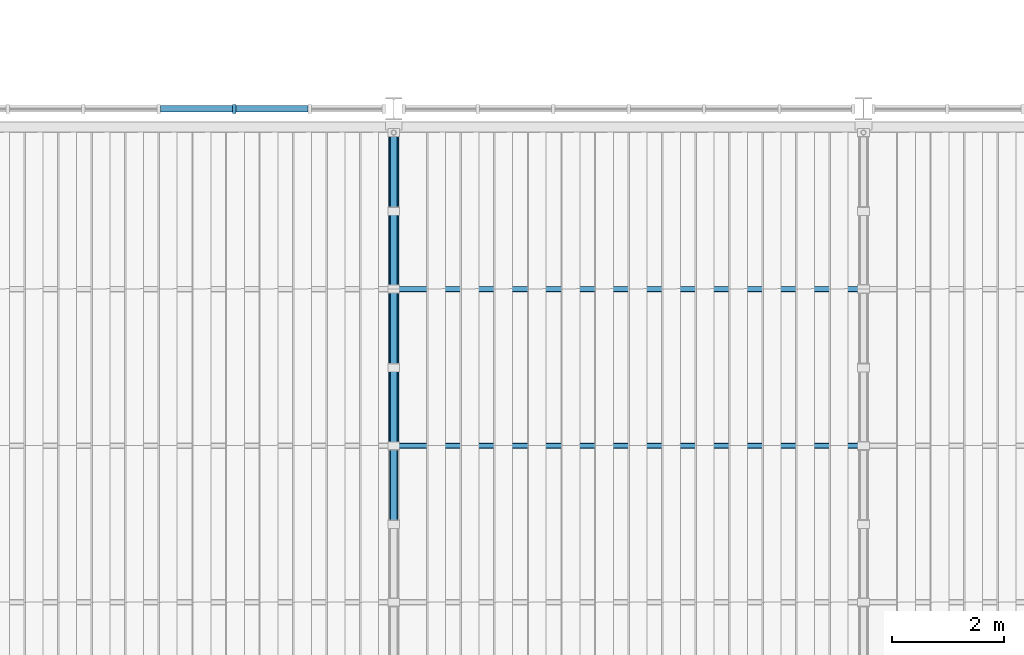
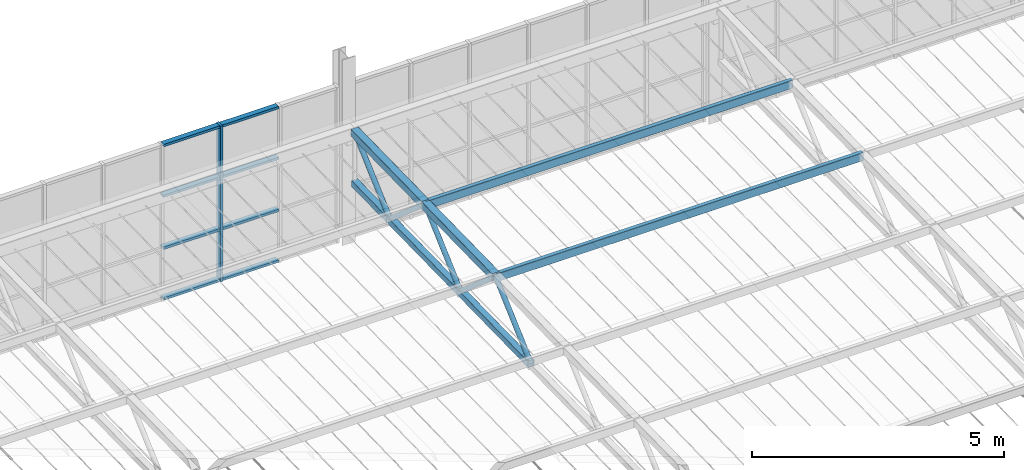
# One storey, part 23 of 129: 21 members, 1 element without a shape of its own.
"""IFC4 building model written with IfcOpenShell, lengths in metres."""

from ifc_helpers import new_model, si_unit, direction, frame, origin, origin_2d, place, context, subcontext, project, spatial, rectangle, hollow_rectangle, hollow_circle, extrude, material, layer, layer_set, material_profile, profile_set, type_object, element, aggregate, save


model = new_model("IFC4")

# Units and contexts
model_context = context("Model", 3, precision=1e-05, world=origin(), true_north=direction((0.0, 1.0)))
body_context = subcontext(model_context, "Body", "Model", "MODEL_VIEW")
ifc_project = project(units=[si_unit("LENGTHUNIT", "METRE"), si_unit("AREAUNIT", "SQUARE_METRE"), si_unit("VOLUMEUNIT", "CUBIC_METRE"), si_unit("PLANEANGLEUNIT", "RADIAN"), si_unit("MASSUNIT", "GRAM", prefix="KILO")], contexts=[model_context])

# Site, building, storey
site_placement = place(None, origin())
site = spatial("IfcSite", under=ifc_project, at=site_placement, CompositionType="ELEMENT")
building_placement = place(site_placement, origin())
building = spatial("IfcBuilding", under=site, at=building_placement, Name="Ardhachandra Cancer Care Centre", CompositionType="ELEMENT")
storey_placement = place(building_placement, frame((0.0, 0.0, 4.5)))
storey = spatial("IfcBuildingStorey", under=building, at=storey_placement, Name="L01", CompositionType="ELEMENT", Elevation=4.5)

# Members
ifc_material_1 = material(Name="Steel E350 (IS 2062)", Category="steel")
ifc_material_profile_1 = material_profile(ifc_material_1, hollow_rectangle(XDim=0.10009765625, YDim=0.199951171875, WallThickness=0.006103515625, InnerFilletRadius=0.006103515625, OuterFilletRadius=0.011962890625, at=origin_2d()), Name="RHS 200x100x6.0")
ifc_profile_set_1 = profile_set([ifc_material_profile_1], Name="Steel E350 (IS 2062)")
member_type_1 = type_object("IfcMemberType", Name="Canopy purlin RHS 200x100x6.0", PredefinedType="PURLIN", material=ifc_profile_set_1)
for number, where, z_axis, x_axis, name in (
    (1, (69.60009765625, 51.375, 2.78759765625), (1.0, 0.0, 0.0), (0.0, 1.0, 0.0), "Canopy purlin 1-4"),
    (2, (69.60009765625, 48.574951171875, 2.7314453125), (1.0, 0.0, 0.0), (0.0, 1.0, 0.0), "Canopy purlin 2-4"),
):
    element("IfcMember", number, at=place(storey_placement, frame(where, z_axis=z_axis, x_axis=x_axis)), inside=storey, type_object=member_type_1, Name=name, PredefinedType="PURLIN", context=body_context, shape_type="SweptSolid", body=[
        extrude(hollow_rectangle(XDim=0.10009765625, YDim=0.199951171875, WallThickness=0.006103515625, InnerFilletRadius=0.006103515625, OuterFilletRadius=0.011962890625, at=origin_2d()), origin(), (0.0, 0.0, 1.0), 8.39990234375),
    ])
ifc_material_2 = material(Name="Steel E350 (IS 2062)", Category="steel")
ifc_material_profile_2 = material_profile(ifc_material_2, hollow_rectangle(XDim=0.14990234375, YDim=0.14990234375, WallThickness=0.006103515625, InnerFilletRadius=0.006103515625, OuterFilletRadius=0.011962890625, at=origin_2d()), Name="SHS 150x150x6.0")
ifc_profile_set_2 = profile_set([ifc_material_profile_2], Name="Steel E350 (IS 2062)")
member_type_2 = type_object("IfcMemberType", Name="Canopy truss bottom chord SHS 150x150x6.0", PredefinedType="CHORD", material=ifc_profile_set_2)
member_1_placement = place(storey_placement, frame((69.60009765625, 54.175048828125, 1.618408203125), z_axis=(0.0, -0.999802492231, -0.019874016411), x_axis=(1.0, 0.0, 0.0)))
element("IfcMember", 3, at=member_1_placement, inside=storey, type_object=member_type_2, Name="Canopy truss 4 bottom chord BC12", PredefinedType="CHORD", context=body_context, shape_type="SweptSolid", body=[
    extrude(hollow_rectangle(XDim=0.14990234375, YDim=0.14990234375, WallThickness=0.006103515625, InnerFilletRadius=0.006103515625, OuterFilletRadius=0.011962890625, at=origin_2d()), origin(), (0.0, 0.0, 1.0), 1.400390625),
])
member_2_placement = place(storey_placement, frame((69.60009765625, 52.77490234375, 1.590576171875), z_axis=(0.0, -0.999798942946, -0.020051775103), x_axis=(1.0, 0.0, 0.0)))
element("IfcMember", 4, at=member_2_placement, inside=storey, type_object=member_type_2, Name="Canopy truss 4 bottom chord BC13", PredefinedType="CHORD", context=body_context, shape_type="SweptSolid", body=[
    extrude(hollow_rectangle(XDim=0.14990234375, YDim=0.14990234375, WallThickness=0.006103515625, InnerFilletRadius=0.006103515625, OuterFilletRadius=0.011962890625, at=origin_2d()), origin(), (0.0, 0.0, 1.0), 2.80029296875),
])
member_3_placement = place(storey_placement, frame((69.60009765625, 49.97509765625, 1.534423828125), z_axis=(0.0, -0.999800721691, -0.019962888244), x_axis=(1.0, 0.0, 0.0)))
element("IfcMember", 5, at=member_3_placement, inside=storey, type_object=member_type_2, Name="Canopy truss 4 bottom chord BC14", PredefinedType="CHORD", context=body_context, shape_type="SweptSolid", body=[
    extrude(hollow_rectangle(XDim=0.14990234375, YDim=0.14990234375, WallThickness=0.006103515625, InnerFilletRadius=0.006103515625, OuterFilletRadius=0.011962890625, at=origin_2d()), origin(), (0.0, 0.0, 1.0), 2.800537109375),
])
ifc_material_3 = material(Name="Steel E350 (IS 2062)", Category="steel")
ifc_material_profile_3 = material_profile(ifc_material_3, hollow_circle(Radius=0.05712890625, WallThickness=0.0048828125, at=origin_2d()), Name="CHS 114.3x5.0")
ifc_profile_set_3 = profile_set([ifc_material_profile_3], Name="Steel E350 (IS 2062)")
member_type_3 = type_object("IfcMemberType", Name="Canopy truss diagonal CHS 114.3x5.0", PredefinedType="BRACE", material=ifc_profile_set_3)
member_4_placement = place(storey_placement, frame((69.60009765625, 54.175048828125, 2.853515625), z_axis=(0.0, -0.742553308775, -0.669786968839), x_axis=(1.0, 0.0, 0.0)))
element("IfcMember", 6, at=member_4_placement, inside=storey, type_object=member_type_3, Name="Canopy truss 4 web diagonal WD23", PredefinedType="BRACE", context=body_context, shape_type="SweptSolid", body=[
    extrude(hollow_circle(Radius=0.05712890625, WallThickness=0.0048828125, at=origin_2d()), origin(), (0.0, 0.0, 1.0), 1.885498046875),
])
member_5_placement = place(storey_placement, frame((69.60009765625, 52.77490234375, 1.590576171875), z_axis=(0.0, -0.757351396119, 0.653007551868), x_axis=(1.0, 0.0, 0.0)))
element("IfcMember", 7, at=member_5_placement, inside=storey, type_object=member_type_3, Name="Canopy truss 4 web diagonal WD24", PredefinedType="BRACE", context=body_context, shape_type="SweptSolid", body=[
    extrude(hollow_circle(Radius=0.05712890625, WallThickness=0.0048828125, at=origin_2d()), origin(), (0.0, 0.0, 1.0), 1.848388671875),
])
member_6_placement = place(storey_placement, frame((69.60009765625, 51.375, 2.797607421875), z_axis=(0.0, -0.742430813776, -0.669922746857), x_axis=(1.0, 0.0, 0.0)))
element("IfcMember", 8, at=member_6_placement, inside=storey, type_object=member_type_3, Name="Canopy truss 4 web diagonal WD25", PredefinedType="BRACE", context=body_context, shape_type="SweptSolid", body=[
    extrude(hollow_circle(Radius=0.05712890625, WallThickness=0.0048828125, at=origin_2d()), origin(), (0.0, 0.0, 1.0), 1.885498046875),
])
member_7_placement = place(storey_placement, frame((69.60009765625, 49.97509765625, 1.534423828125), z_axis=(0.0, -0.75740770942, 0.65294223459), x_axis=(1.0, 0.0, 0.0)))
element("IfcMember", 9, at=member_7_placement, inside=storey, type_object=member_type_3, Name="Canopy truss 4 web diagonal WD26", PredefinedType="BRACE", context=body_context, shape_type="SweptSolid", body=[
    extrude(hollow_circle(Radius=0.05712890625, WallThickness=0.0048828125, at=origin_2d()), origin(), (0.0, 0.0, 1.0), 1.8486328125),
])
member_8_placement = place(storey_placement, frame((69.60009765625, 48.574951171875, 2.741455078125), z_axis=(0.0, -0.742495214915, -0.669851368461), x_axis=(1.0, 0.0, 0.0)))
element("IfcMember", 10, at=member_8_placement, inside=storey, type_object=member_type_3, Name="Canopy truss 4 web diagonal WD27", PredefinedType="BRACE", context=body_context, shape_type="SweptSolid", body=[
    extrude(hollow_circle(Radius=0.05712890625, WallThickness=0.0048828125, at=origin_2d()), origin(), (0.0, 0.0, 1.0), 1.885498046875),
])
ifc_material_4 = material(Name="Steel E350 (IS 2062)", Category="steel")
ifc_material_profile_4 = material_profile(ifc_material_4, hollow_rectangle(XDim=0.179931640625, YDim=0.179931640625, WallThickness=0.008056640625, InnerFilletRadius=0.008056640625, OuterFilletRadius=0.01611328125, at=origin_2d()), Name="SHS 180x180x8.0")
ifc_profile_set_4 = profile_set([ifc_material_profile_4], Name="Steel E350 (IS 2062)")
member_type_4 = type_object("IfcMemberType", Name="Canopy truss top chord SHS 180x180x8.0", PredefinedType="CHORD", material=ifc_profile_set_4)
for number, where, z_axis, x_axis, name in (
    (11, (69.60009765625, 54.175048828125, 2.853515625), (0.0, -0.999800721691, -0.019962888244), (1.0, 0.0, 0.0), "Canopy truss 4 top chord TC1"),
    (12, (69.60009765625, 51.375, 2.797607421875), (0.0, -0.999798977995, -0.02005002746), (1.0, 0.0, 0.0), "Canopy truss 4 top chord TC2"),
):
    element("IfcMember", number, at=place(storey_placement, frame(where, z_axis=z_axis, x_axis=x_axis)), inside=storey, type_object=member_type_4, Name=name, PredefinedType="CHORD", context=body_context, shape_type="SweptSolid", body=[
        extrude(hollow_rectangle(XDim=0.179931640625, YDim=0.179931640625, WallThickness=0.008056640625, InnerFilletRadius=0.008056640625, OuterFilletRadius=0.01611328125, at=origin_2d()), origin(), (0.0, 0.0, 1.0), 2.800537109375),
    ])

# Curtain wall, members
ifc_material_5 = material(Name="Aluminium extrusion", Category="aluminium")
ifc_layer = layer(ifc_material_5, 0.14990234375)
ifc_layer_set = layer_set([ifc_layer], Name="Aluminium extrusion")
curtain_wall_type = type_object("IfcCurtainWallType", Name="Curtain wall run", PredefinedType="NOTDEFINED", material=ifc_layer_set)
curtain_wall_placement = place(storey_placement, origin())
curtain_wall = element("IfcCurtainWall", 13, at=curtain_wall_placement, inside=storey, type_object=curtain_wall_type, Name="Curtain wall L01 s/0061200_0054600", PredefinedType="NOTDEFINED")
ifc_material_6 = material(Name="Aluminium extrusion", Category="aluminium")
ifc_material_profile_5 = material_profile(ifc_material_6, rectangle(XDim=0.159912109375, YDim=0.06005859375, at=origin_2d()), Name="Curtain wall mullion 60 x 160")
ifc_profile_set_5 = profile_set([ifc_material_profile_5], Name="Aluminium extrusion")
member_type_5 = type_object("IfcMemberType", Name="Curtain wall mullion 60 x 160", PredefinedType="MULLION", material=ifc_profile_set_5)
member_9_placement = place(storey_placement, frame((66.75, 54.60009765625, 0.0), z_axis=(0.0, 0.0, 1.0), x_axis=(0.0, 1.0, 0.0)))
member_9 = element("IfcMember", 14, at=member_9_placement, type_object=member_type_5, Name="CW mullion 5", PredefinedType="MULLION", context=body_context, shape_type="SweptSolid", body=[
    extrude(rectangle(XDim=0.159912109375, YDim=0.06005859375, at=origin_2d()), origin(), (0.0, 0.0, 1.0), 3.780517578125),
])
ifc_material_7 = material(Name="Aluminium extrusion", Category="aluminium")
ifc_material_profile_6 = material_profile(ifc_material_7, rectangle(XDim=0.1201171875, YDim=0.06005859375, at=origin_2d()), Name="Curtain wall transom 60 x 120")
ifc_profile_set_6 = profile_set([ifc_material_profile_6], Name="Aluminium extrusion")
member_type_6 = type_object("IfcMemberType", Name="Curtain wall transom 60 x 120", PredefinedType="USERDEFINED", material=ifc_profile_set_6)
member_10_placement = place(storey_placement, frame((65.429931640625, 54.60009765625, 0.030029296875), z_axis=(1.0, 0.0, 0.0), x_axis=(0.0, 1.0, 0.0)))
member_10 = element("IfcMember", 15, at=member_10_placement, type_object=member_type_6, Name="CW transom 4.1", ObjectType="TRANSOM", PredefinedType="USERDEFINED", context=body_context, shape_type="SweptSolid", body=[
    extrude(rectangle(XDim=0.1201171875, YDim=0.06005859375, at=origin_2d()), origin(), (0.0, 0.0, 1.0), 1.2900390625),
])
member_11_placement = place(storey_placement, frame((65.429931640625, 54.60009765625, 1.26025390625), z_axis=(1.0, 0.0, 0.0), x_axis=(0.0, 1.0, 0.0)))
member_11 = element("IfcMember", 16, at=member_11_placement, type_object=member_type_6, Name="CW transom 4.2", ObjectType="TRANSOM", PredefinedType="USERDEFINED", context=body_context, shape_type="SweptSolid", body=[
    extrude(rectangle(XDim=0.1201171875, YDim=0.06005859375, at=origin_2d()), origin(), (0.0, 0.0, 1.0), 1.2900390625),
])
member_12_placement = place(storey_placement, frame((65.429931640625, 54.60009765625, 2.520263671875), z_axis=(1.0, 0.0, 0.0), x_axis=(0.0, 1.0, 0.0)))
member_12 = element("IfcMember", 17, at=member_12_placement, type_object=member_type_6, Name="CW transom 4.3", ObjectType="TRANSOM", PredefinedType="USERDEFINED", context=body_context, shape_type="SweptSolid", body=[
    extrude(rectangle(XDim=0.1201171875, YDim=0.06005859375, at=origin_2d()), origin(), (0.0, 0.0, 1.0), 1.2900390625),
])
member_13_placement = place(storey_placement, frame((65.429931640625, 54.60009765625, 3.75048828125), z_axis=(1.0, 0.0, 0.0), x_axis=(0.0, 1.0, 0.0)))
member_13 = element("IfcMember", 18, at=member_13_placement, type_object=member_type_6, Name="CW transom 4.4", ObjectType="TRANSOM", PredefinedType="USERDEFINED", context=body_context, shape_type="SweptSolid", body=[
    extrude(rectangle(XDim=0.1201171875, YDim=0.06005859375, at=origin_2d()), origin(), (0.0, 0.0, 1.0), 1.2900390625),
])
member_14_placement = place(storey_placement, frame((66.780029296875, 54.60009765625, 0.030029296875), z_axis=(1.0, 0.0, 0.0), x_axis=(0.0, 1.0, 0.0)))
member_14 = element("IfcMember", 19, at=member_14_placement, type_object=member_type_6, Name="CW transom 5.1", ObjectType="TRANSOM", PredefinedType="USERDEFINED", context=body_context, shape_type="SweptSolid", body=[
    extrude(rectangle(XDim=0.1201171875, YDim=0.06005859375, at=origin_2d()), origin(), (0.0, 0.0, 1.0), 1.2900390625),
])
member_15_placement = place(storey_placement, frame((66.780029296875, 54.60009765625, 1.26025390625), z_axis=(1.0, 0.0, 0.0), x_axis=(0.0, 1.0, 0.0)))
member_15 = element("IfcMember", 20, at=member_15_placement, type_object=member_type_6, Name="CW transom 5.2", ObjectType="TRANSOM", PredefinedType="USERDEFINED", context=body_context, shape_type="SweptSolid", body=[
    extrude(rectangle(XDim=0.1201171875, YDim=0.06005859375, at=origin_2d()), origin(), (0.0, 0.0, 1.0), 1.2900390625),
])
member_16_placement = place(storey_placement, frame((66.780029296875, 54.60009765625, 2.520263671875), z_axis=(1.0, 0.0, 0.0), x_axis=(0.0, 1.0, 0.0)))
member_16 = element("IfcMember", 21, at=member_16_placement, type_object=member_type_6, Name="CW transom 5.3", ObjectType="TRANSOM", PredefinedType="USERDEFINED", context=body_context, shape_type="SweptSolid", body=[
    extrude(rectangle(XDim=0.1201171875, YDim=0.06005859375, at=origin_2d()), origin(), (0.0, 0.0, 1.0), 1.2900390625),
])
member_17_placement = place(storey_placement, frame((66.780029296875, 54.60009765625, 3.75048828125), z_axis=(1.0, 0.0, 0.0), x_axis=(0.0, 1.0, 0.0)))
member_17 = element("IfcMember", 22, at=member_17_placement, type_object=member_type_6, Name="CW transom 5.4", ObjectType="TRANSOM", PredefinedType="USERDEFINED", context=body_context, shape_type="SweptSolid", body=[
    extrude(rectangle(XDim=0.1201171875, YDim=0.06005859375, at=origin_2d()), origin(), (0.0, 0.0, 1.0), 1.2900390625),
])
aggregate(curtain_wall, [member_9, member_10, member_11, member_12, member_13, member_14, member_15, member_16, member_17])

save(model, "model.ifc")
